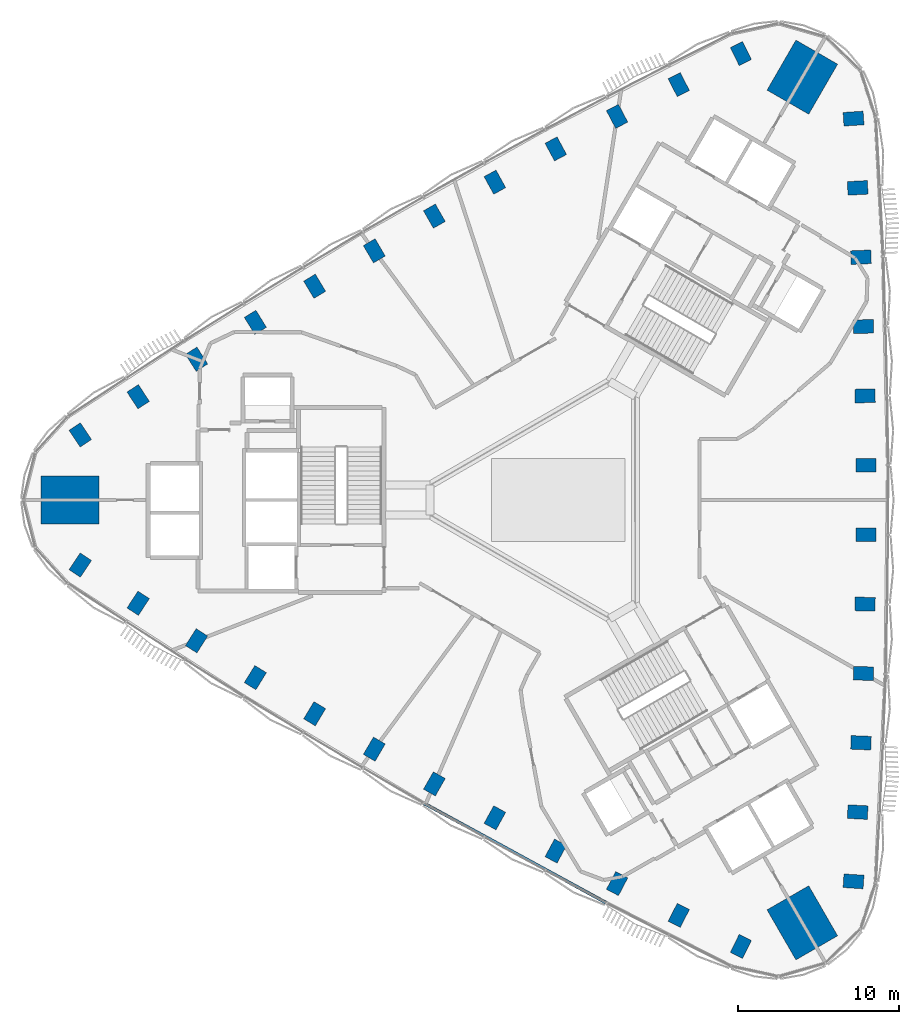
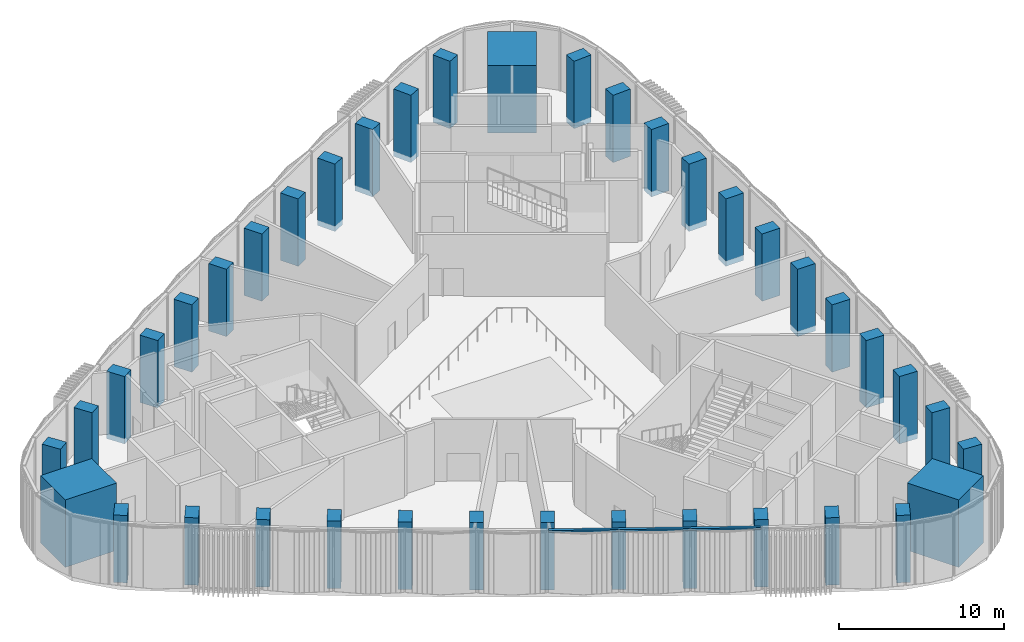
# One storey, part 1 of 17: 39 columns, 1 member, 1 element without a shape of its own.
"""IFC4 building model written with IfcOpenShell, lengths in metres."""

from ifc_helpers import new_model, si_unit, direction, frame, origin, origin_2d, place, context, subcontext, project, spatial, rectangle, extrude, material, material_profile, profile_set, type_object, element, aggregate, save


model = new_model("IFC4")

# Units and contexts
model_context = context("Model", 3, precision=1e-05, world=origin(), true_north=direction((0.0, 1.0)))
body_context = subcontext(model_context, "Body", "Model", "MODEL_VIEW")
ifc_project = project(units=[si_unit("LENGTHUNIT", "METRE"), si_unit("AREAUNIT", "SQUARE_METRE"), si_unit("VOLUMEUNIT", "CUBIC_METRE"), si_unit("PLANEANGLEUNIT", "RADIAN"), si_unit("MASSUNIT", "GRAM", prefix="KILO")], contexts=[model_context])

# Site, building, storey
site_placement = place(None, origin())
site = spatial("IfcSite", under=ifc_project, at=site_placement, CompositionType="ELEMENT")
building_placement = place(site_placement, origin())
building = spatial("IfcBuilding", under=site, at=building_placement, Name="Tamra Quay Hotel Tower", CompositionType="ELEMENT")
storey_placement = place(building_placement, frame((0.0, 0.0, 123.800048828125)))
storey = spatial("IfcBuildingStorey", under=building, at=storey_placement, Name="L30", CompositionType="ELEMENT", Elevation=123.800048828125)

# Columns
ifc_material_1 = material(Name="Concrete M70", Category="concrete")
ifc_material_profile_1 = material_profile(ifc_material_1, rectangle(XDim=1.25, YDim=0.85009765625, at=origin_2d()), Name="COLUMN RC 850x1250 Z3")
ifc_profile_set_1 = profile_set([ifc_material_profile_1], Name="Concrete M70")
column_type_1 = type_object("IfcColumnType", Name="COLUMN RC 850x1250 Z3", PredefinedType="COLUMN", material=ifc_profile_set_1)
for number, where, z_axis, x_axis, name in (
    (1, (18.396728515625, -23.757080078125, -0.400146484375), (0.0, 0.0, 1.0), (-0.997857895766, 0.065418803553, 0.0), "COL-C3E01-L30"),
    (2, (18.654541015625, -19.4423828125, -0.400146484375), (0.0, 0.0, 1.0), (-0.998562324173, 0.053603029218, 0.0), "COL-C3E02-L30"),
    (3, (18.86083984375, -15.124267578125, -0.400146484375), (0.0, 0.0, 1.0), (-0.999109109653, 0.042201741775, 0.0), "COL-C3E03-L30"),
    (4, (19.015869140625, -10.8046875, -0.400146484375), (0.0, 0.0, 1.0), (-0.99955268585, 0.029906992649, 0.0), "COL-C3E04-L30"),
    (5, (19.119140625, -6.483642578125, -0.400146484375), (0.0, 0.0, 1.0), (-0.999845156469, 0.017597246518, 0.0), "COL-C3E05-L30"),
    (6, (19.1708984375, -2.1611328125, -0.400146484375), (0.0, 0.0, 1.0), (-0.999981031775, 0.006159227987, 0.0), "COL-C3E06-L30"),
    (7, (19.1708984375, 2.1611328125, -0.400146484375), (0.0, 0.0, 1.0), (0.999981031775, 0.006159227987, 0.0), "COL-C3E07-L30"),
    (8, (19.119140625, 6.483642578125, -0.400146484375), (0.0, 0.0, 1.0), (0.999845156469, 0.017597246518, 0.0), "COL-C3E08-L30"),
    (9, (19.015869140625, 10.8046875, -0.400146484375), (0.0, 0.0, 1.0), (0.99955268585, 0.029906992649, 0.0), "COL-C3E09-L30"),
    (10, (18.86083984375, 15.124267578125, -0.400146484375), (0.0, 0.0, 1.0), (0.999109109653, 0.042201741775, 0.0), "COL-C3E10-L30"),
    (11, (18.654541015625, 19.4423828125, -0.400146484375), (0.0, 0.0, 1.0), (0.998562324173, 0.053603029218, 0.0), "COL-C3E11-L30"),
    (12, (18.396728515625, 23.757080078125, -0.400146484375), (0.0, 0.0, 1.0), (0.997857895766, 0.065418803553, 0.0), "COL-C3E12-L30"),
    (13, (11.3759765625, 27.810546875, -0.400146484375), (0.0, 0.0, 1.0), (-0.44227460212, 0.896879688877, 0.0), "COL-C3NW01-L30"),
    (14, (7.51025390625, 25.87646484375, -0.400146484375), (0.0, 0.0, 1.0), (-0.452859577064, 0.891581854605, 0.0), "COL-C3NW02-L30"),
    (15, (3.66748046875, 23.896240234375, -0.400146484375), (0.0, 0.0, 1.0), (-0.463006774365, 0.886354740999, 0.0), "COL-C3NW03-L30"),
    (16, (-0.150634765625, 21.87060546875, -0.400146484375), (0.0, 0.0, 1.0), (-0.47387612754, 0.880591514692, 0.0), "COL-C3NW04-L30"),
    (17, (-3.944580078125, 19.799560546875, -0.400146484375), (0.0, 0.0, 1.0), (-0.484682915713, 0.874689928612, 0.0), "COL-C3NW05-L30"),
    (18, (-7.7138671875, 17.68310546875, -0.400146484375), (0.0, 0.0, 1.0), (-0.494656467983, 0.869088590813, 0.0), "COL-C3NW06-L30"),
    (19, (-11.45703125, 15.521728515625, -0.400146484375), (0.0, 0.0, 1.0), (-0.505324563792, 0.862929362827, 0.0), "COL-C3NW07-L30"),
    (20, (-15.174560546875, 13.31591796875, -0.400146484375), (0.0, 0.0, 1.0), (-0.515162240756, 0.857092682094, 0.0), "COL-C3NW08-L30"),
    (21, (-18.864990234375, 11.06591796875, -0.400146484375), (0.0, 0.0, 1.0), (-0.52567655831, 0.850684522043, 0.0), "COL-C3NW09-L30"),
    (22, (-22.528564453125, 8.771728515625, -0.400146484375), (0.0, 0.0, 1.0), (-0.536102335288, 0.844152999224, 0.0), "COL-C3NW10-L30"),
    (23, (-26.164794921875, 6.43408203125, -0.400146484375), (0.0, 0.0, 1.0), (-0.545702747109, 0.837978825387, 0.0), "COL-C3NW11-L30"),
    (24, (-29.772705078125, 4.053466796875, -0.400146484375), (0.0, 0.0, 1.0), (-0.555583293645, 0.831460885323, 0.0), "COL-C3NW12-L30"),
    (25, (-29.772705078125, -4.053466796875, -0.400146484375), (0.0, 0.0, 1.0), (0.555583293645, 0.831460885323, 0.0), "COL-C3SW01-L30"),
    (26, (-26.164794921875, -6.43408203125, -0.400146484375), (0.0, 0.0, 1.0), (0.545702747109, 0.837978825387, 0.0), "COL-C3SW02-L30"),
    (27, (-22.528564453125, -8.771728515625, -0.400146484375), (0.0, 0.0, 1.0), (0.536102335288, 0.844152999224, 0.0), "COL-C3SW03-L30"),
    (28, (-18.864990234375, -11.06591796875, -0.400146484375), (0.0, 0.0, 1.0), (0.52567655831, 0.850684522043, 0.0), "COL-C3SW04-L30"),
    (29, (-15.174560546875, -13.31591796875, -0.400146484375), (0.0, 0.0, 1.0), (0.515162240756, 0.857092682094, 0.0), "COL-C3SW05-L30"),
    (30, (-11.45703125, -15.521728515625, -0.400146484375), (0.0, 0.0, 1.0), (0.505324563792, 0.862929362827, 0.0), "COL-C3SW06-L30"),
    (31, (-7.7138671875, -17.68310546875, -0.400146484375), (0.0, 0.0, 1.0), (0.494656467983, 0.869088590813, 0.0), "COL-C3SW07-L30"),
    (32, (-3.944580078125, -19.799560546875, -0.400146484375), (0.0, 0.0, 1.0), (0.484682915713, 0.874689928612, 0.0), "COL-C3SW08-L30"),
    (33, (-0.150634765625, -21.87060546875, -0.400146484375), (0.0, 0.0, 1.0), (0.47387612754, 0.880591514692, 0.0), "COL-C3SW09-L30"),
    (34, (3.66748046875, -23.896240234375, -0.400146484375), (0.0, 0.0, 1.0), (0.463006774365, 0.886354740999, 0.0), "COL-C3SW10-L30"),
    (35, (7.51025390625, -25.87646484375, -0.400146484375), (0.0, 0.0, 1.0), (0.452859577064, 0.891581854605, 0.0), "COL-C3SW11-L30"),
    (36, (11.3759765625, -27.810546875, -0.400146484375), (0.0, 0.0, 1.0), (0.44227460212, 0.896879688877, 0.0), "COL-C3SW12-L30"),
):
    element("IfcColumn", number, at=place(storey_placement, frame(where, z_axis=z_axis, x_axis=x_axis)), inside=storey, type_object=column_type_1, Name=name, PredefinedType="COLUMN", context=body_context, shape_type="SweptSolid", body=[
        extrude(rectangle(XDim=1.25, YDim=0.85009765625, at=origin_2d()), origin(), (0.0, 0.0, 1.0), 5.0),
    ])
ifc_material_profile_2 = material_profile(ifc_material_1, rectangle(XDim=3.60009765625, YDim=3.0, at=origin_2d()), Name="MEGA COLUMN RC 3000x3600 Z3")
ifc_profile_set_2 = profile_set([ifc_material_profile_2], Name="Concrete M70")
column_type_2 = type_object("IfcColumnType", Name="MEGA COLUMN RC 3000x3600 Z3", PredefinedType="COLUMN", material=ifc_profile_set_2)
for number, where, z_axis, x_axis, name in (
    (37, (15.20703125, 26.339599609375, -0.400146484375), (0.0, 0.0, 1.0), (0.5, 0.866025403784, 0.0), "COL-M3NE-L30"),
    (38, (-30.414306640625, 0.0, -0.400146484375), (0.0, 0.0, 1.0), (1.0, 0.0, 0.0), "COL-M3W-L30"),
    (39, (15.20703125, -26.339599609375, -0.400146484375), (0.0, 0.0, 1.0), (-0.5, 0.866025403784, 0.0), "COL-M3SE-L30"),
):
    element("IfcColumn", number, at=place(storey_placement, frame(where, z_axis=z_axis, x_axis=x_axis)), inside=storey, type_object=column_type_2, Name=name, PredefinedType="COLUMN", context=body_context, shape_type="SweptSolid", body=[
        extrude(rectangle(XDim=3.60009765625, YDim=3.0, at=origin_2d()), origin(), (0.0, 0.0, 1.0), 5.0),
    ])

# Curtain wall, member
ifc_material_2 = material(Name="Aluminium 6063 anodised dark grey", Category="aluminium")
curtain_wall_type = type_object("IfcCurtainWallType", Name="CW3 CURTAIN WALL", PredefinedType="NOTDEFINED", material=ifc_material_2)
curtain_wall_placement = place(storey_placement, origin())
curtain_wall = element("IfcCurtainWall", 40, at=curtain_wall_placement, inside=storey, type_object=curtain_wall_type, Name="CW3 south-west face L30", PredefinedType="NOTDEFINED")
ifc_material_profile_3 = material_profile(ifc_material_2, rectangle(XDim=0.199951171875, YDim=0.139892578125, at=origin_2d()), Name="TRANSOM 200X140")
ifc_profile_set_3 = profile_set([ifc_material_profile_3], Name="Aluminium 6063 anodised dark grey")
member_type = type_object("IfcMemberType", Name="TRANSOM CW3 Z3", PredefinedType="USERDEFINED", material=ifc_profile_set_3)
member_placement = place(storey_placement, frame((-8.350341796875, -18.90234375, 4.530029296875), z_axis=(0.877722875329, -0.479168607198, 0.0), x_axis=(0.479168607198, 0.877722875329, 0.0)))
member = element("IfcMember", 41, at=member_placement, type_object=member_type, Name="CW3 transom L30.SW.7", ObjectType="TRANSOM", PredefinedType="USERDEFINED", context=body_context, shape_type="SweptSolid", body=[
    extrude(rectangle(XDim=0.199951171875, YDim=0.139892578125, at=origin_2d()), origin(), (0.0, 0.0, 1.0), 12.91650390625),
])
aggregate(curtain_wall, [member])

save(model, "model.ifc")
